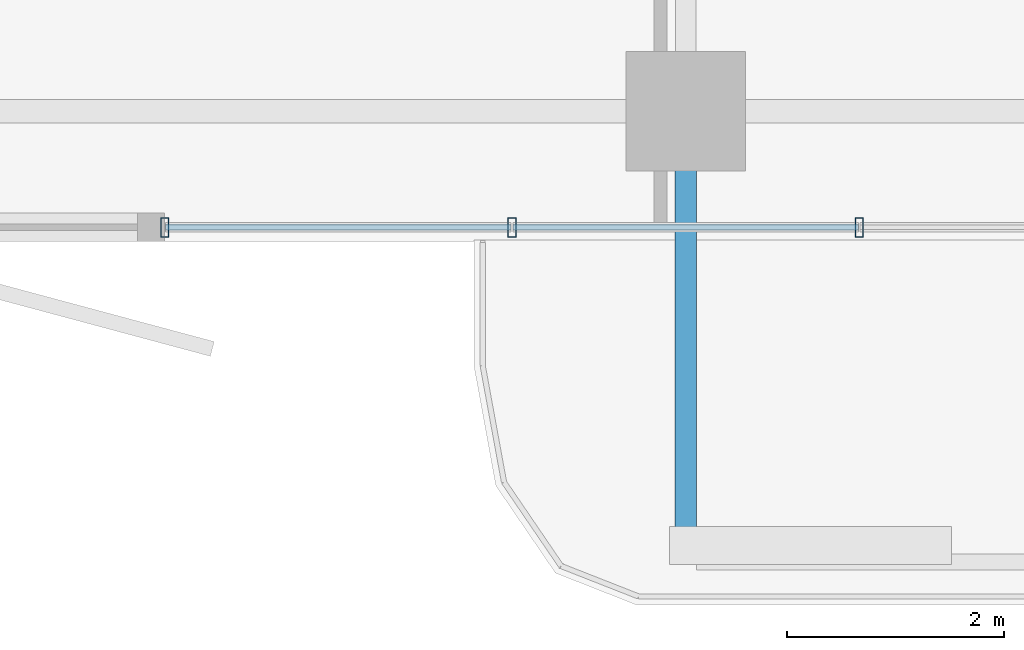
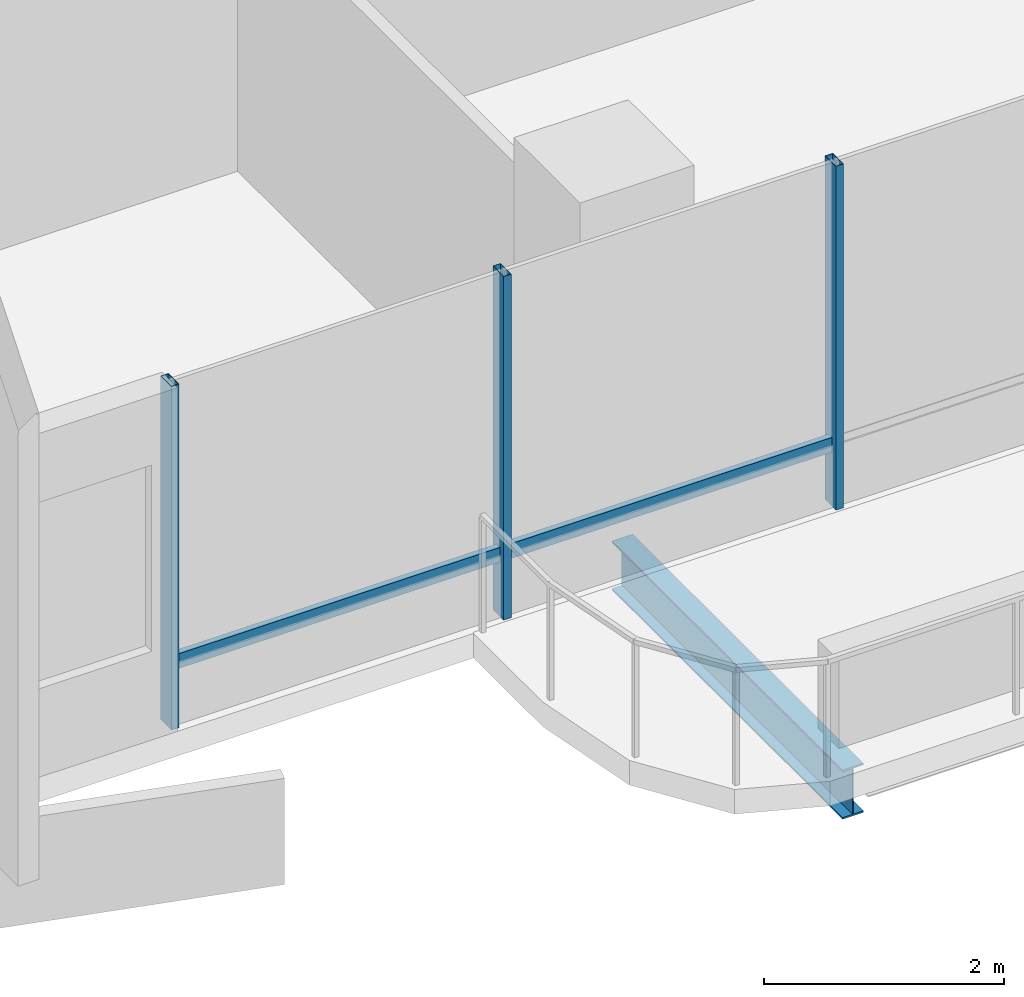
# One storey, part 2 of 24: 5 members, 1 beam, 1 element without a shape of its own.
"""IFC4 building model written with IfcOpenShell, lengths in metres."""

from ifc_helpers import new_model, si_unit, direction, frame, origin, origin_2d, place, context, subcontext, project, spatial, hollow_rectangle, i_section, extrude, material, layer, layer_set, material_profile, profile_set, type_object, element, aggregate, save


model = new_model("IFC4")

# Units and contexts
model_context = context("Model", 3, precision=1e-05, world=origin(), true_north=direction((0.0, 1.0)))
body_context = subcontext(model_context, "Body", "Model", "MODEL_VIEW")
ifc_project = project(units=[si_unit("LENGTHUNIT", "METRE"), si_unit("AREAUNIT", "SQUARE_METRE"), si_unit("VOLUMEUNIT", "CUBIC_METRE"), si_unit("PLANEANGLEUNIT", "RADIAN"), si_unit("MASSUNIT", "GRAM", prefix="KILO")], contexts=[model_context])

# Site, building, storey
site_placement = place(None, origin())
site = spatial("IfcSite", under=ifc_project, at=site_placement, CompositionType="ELEMENT")
building_placement = place(site_placement, origin())
building = spatial("IfcBuilding", under=site, at=building_placement, Name="Belovzor Exchange Tower", CompositionType="ELEMENT")
storey_placement = place(building_placement, frame((0.0, 0.0, 226.199951171875)))
storey = spatial("IfcBuildingStorey", under=building, at=storey_placement, Name="L56", CompositionType="ELEMENT", Elevation=226.199951171875)

# Beam
ifc_material_1 = material(Name="Steel S355", Category="steel")
ifc_material_profile_1 = material_profile(ifc_material_1, i_section(OverallWidth=0.199951171875, OverallDepth=0.5, WebThickness=0.01025390625, FlangeThickness=0.01611328125, at=origin_2d()))
ifc_profile_set_1 = profile_set([ifc_material_profile_1], Name="Steel S355")
beam_type = type_object("IfcBeamType", Name="Planted Balcony Cantilever Beam IPE 500", PredefinedType="BEAM", material=ifc_profile_set_1)
beam_placement = place(storey_placement, frame((28.800048828125, 2.697021484375, -0.5), z_axis=(0.0, -1.0, 0.0), x_axis=(1.0, 0.0, 0.0)))
element("IfcBeam", 1, at=beam_placement, inside=storey, type_object=beam_type, Name="BC-500 Planted Balcony Cantilever Beam IPE 500", PredefinedType="BEAM", context=body_context, shape_type="SweptSolid", body=[
    extrude(i_section(OverallWidth=0.199951171875, OverallDepth=0.5, WebThickness=0.01025390625, FlangeThickness=0.01611328125, at=origin_2d()), origin(), (0.0, 0.0, 1.0), 3.85009765625),
])

# Curtain wall, members
ifc_material_2 = material(Name="Anodised Aluminium Framing", Category="aluminium")
ifc_layer = layer(ifc_material_2, 0.179931640625)
ifc_layer_set = layer_set([ifc_layer], Name="Anodised Aluminium Framing")
curtain_wall_type = type_object("IfcCurtainWallType", Name="Recessed Loggia Low-Iron Triple-Glazed Curtain Wall", PredefinedType="NOTDEFINED", material=ifc_layer_set)
curtain_wall_placement = place(storey_placement, origin())
curtain_wall = element("IfcCurtainWall", 2, at=curtain_wall_placement, inside=storey, type_object=curtain_wall_type, Name="CW3 Recessed Loggia Low-Iron Triple-Glazed Curtain Wall L56", PredefinedType="NOTDEFINED")
ifc_material_3 = material(Name="Steel S355", Category="steel")
ifc_material_profile_2 = material_profile(ifc_material_3, hollow_rectangle(XDim=0.074951171875, YDim=0.179931640625, WallThickness=0.0048828125, at=origin_2d()))
ifc_profile_set_2 = profile_set([ifc_material_profile_2], Name="Steel S355")
member_type_1 = type_object("IfcMemberType", Name="Thermally Broken Curtain Wall Mullion 180x75", PredefinedType="MULLION", material=ifc_profile_set_2)
member_1_placement = place(storey_placement, frame((30.39990234375, 1.929931640625, 0.0), z_axis=(0.0, 0.0, 1.0), x_axis=(-1.0, 0.0, 0.0)))
member_1 = element("IfcMember", 3, at=member_1_placement, type_object=member_type_1, Name="CW-M180 Curtain Wall Mullion 2", PredefinedType="MULLION", context=body_context, shape_type="SweptSolid", body=[
    extrude(hollow_rectangle(XDim=0.074951171875, YDim=0.179931640625, WallThickness=0.0048828125, at=origin_2d()), origin(), (0.0, 0.0, 1.0), 3.5),
])
member_2_placement = place(storey_placement, frame((27.199951171875, 1.929931640625, 0.0), z_axis=(0.0, 0.0, 1.0), x_axis=(-1.0, 0.0, 0.0)))
member_2 = element("IfcMember", 4, at=member_2_placement, type_object=member_type_1, Name="CW-M180 Curtain Wall Mullion 3", PredefinedType="MULLION", context=body_context, shape_type="SweptSolid", body=[
    extrude(hollow_rectangle(XDim=0.074951171875, YDim=0.179931640625, WallThickness=0.0048828125, at=origin_2d()), origin(), (0.0, 0.0, 1.0), 3.5),
])
member_3_placement = place(storey_placement, frame((24.0, 1.929931640625, 0.0), z_axis=(0.0, 0.0, 1.0), x_axis=(-1.0, 0.0, 0.0)))
member_3 = element("IfcMember", 5, at=member_3_placement, type_object=member_type_1, Name="CW-M180 Curtain Wall Mullion 4", PredefinedType="MULLION", context=body_context, shape_type="SweptSolid", body=[
    extrude(hollow_rectangle(XDim=0.074951171875, YDim=0.179931640625, WallThickness=0.0048828125, at=origin_2d()), origin(), (0.0, 0.0, 1.0), 3.5),
])
ifc_material_4 = material(Name="Steel S355", Category="steel")
ifc_material_profile_3 = material_profile(ifc_material_4, hollow_rectangle(XDim=0.06005859375, YDim=0.14990234375, WallThickness=0.00390625, at=origin_2d()))
ifc_profile_set_3 = profile_set([ifc_material_profile_3], Name="Steel S355")
member_type_2 = type_object("IfcMemberType", Name="Thermally Broken Curtain Wall Transom 150x60", PredefinedType="USERDEFINED", material=ifc_profile_set_3)
member_4_placement = place(storey_placement, frame((30.39208984375, 1.929931640625, 0.630126953125), z_axis=(-1.0, 0.0, 0.0), x_axis=(0.0, -1.0, 0.0)))
member_4 = element("IfcMember", 6, at=member_4_placement, type_object=member_type_2, Name="CW-T150 Curtain Wall Transom 2", ObjectType="TRANSOM", PredefinedType="USERDEFINED", context=body_context, shape_type="SweptSolid", body=[
    extrude(hollow_rectangle(XDim=0.06005859375, YDim=0.14990234375, WallThickness=0.00390625, at=origin_2d()), origin(), (0.0, 0.0, 1.0), 3.18408203125),
])
member_5_placement = place(storey_placement, frame((27.19189453125, 1.929931640625, 0.630126953125), z_axis=(-1.0, 0.0, 0.0), x_axis=(0.0, -1.0, 0.0)))
member_5 = element("IfcMember", 7, at=member_5_placement, type_object=member_type_2, Name="CW-T150 Curtain Wall Transom 3", ObjectType="TRANSOM", PredefinedType="USERDEFINED", context=body_context, shape_type="SweptSolid", body=[
    extrude(hollow_rectangle(XDim=0.06005859375, YDim=0.14990234375, WallThickness=0.00390625, at=origin_2d()), origin(), (0.0, 0.0, 1.0), 3.183837890625),
])
aggregate(curtain_wall, [member_1, member_2, member_3, member_4, member_5])

save(model, "model.ifc")
